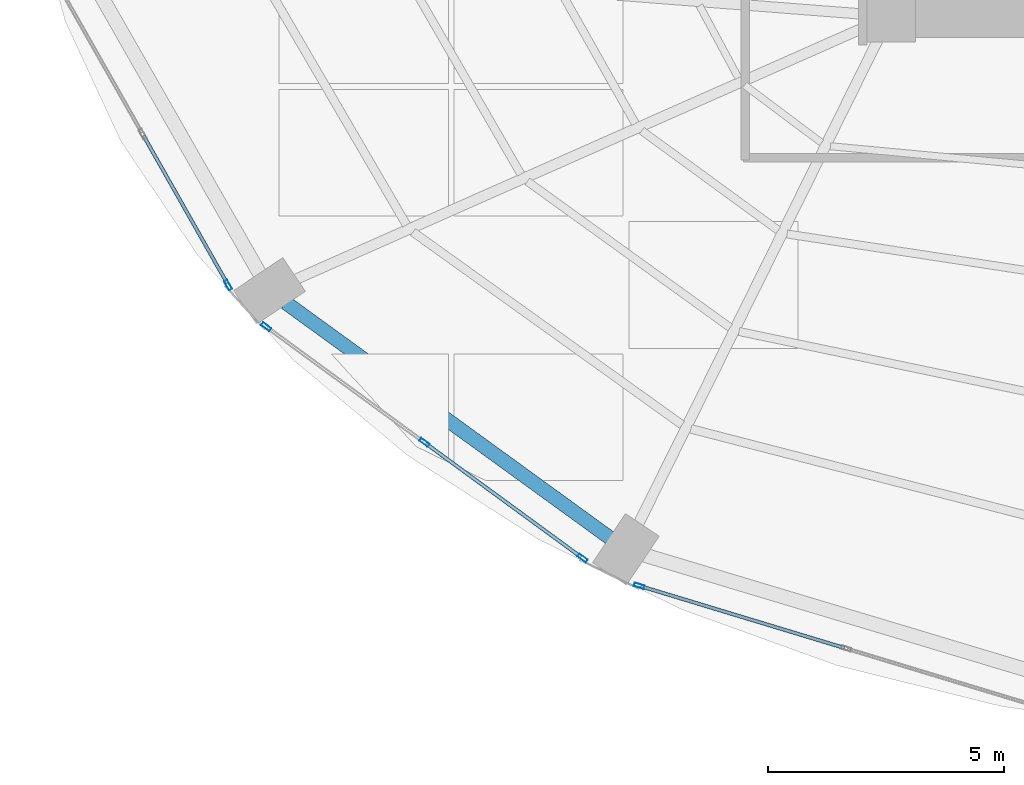
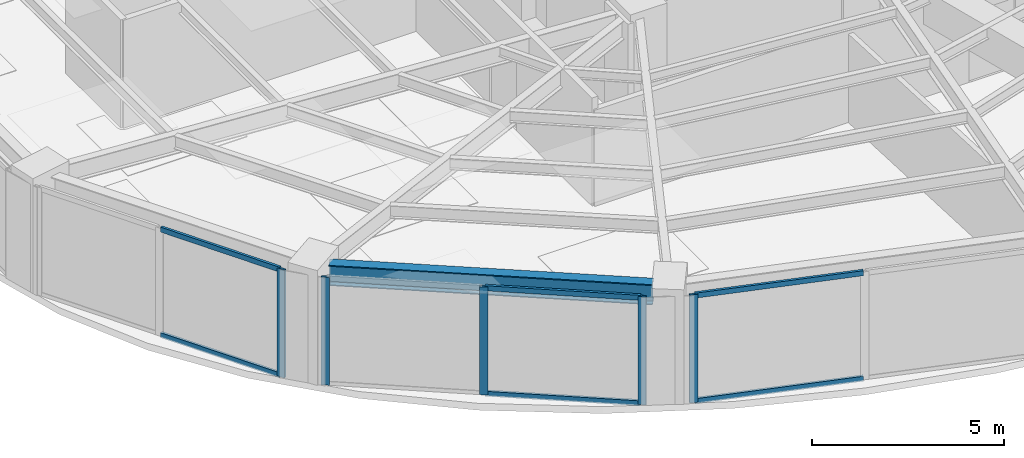
# One storey, part 2 of 24: 11 members, 1 beam, 3 elements without a shape of their own.
"""IFC4 building model written with IfcOpenShell, lengths in metres."""

from ifc_helpers import new_model, si_unit, direction, frame, origin, origin_2d, place, context, subcontext, project, spatial, hollow_rectangle, i_section, extrude, material, layer, layer_set, material_profile, profile_set, type_object, element, aggregate, save


model = new_model("IFC4")

# Units and contexts
model_context = context("Model", 3, precision=1e-05, world=origin(), true_north=direction((0.0, 1.0)))
body_context = subcontext(model_context, "Body", "Model", "MODEL_VIEW")
ifc_project = project(units=[si_unit("LENGTHUNIT", "METRE"), si_unit("AREAUNIT", "SQUARE_METRE"), si_unit("VOLUMEUNIT", "CUBIC_METRE"), si_unit("PLANEANGLEUNIT", "RADIAN"), si_unit("MASSUNIT", "GRAM", prefix="KILO")], contexts=[model_context])

# Site, building, storey
site_placement = place(None, origin())
site = spatial("IfcSite", under=ifc_project, at=site_placement, CompositionType="ELEMENT")
building_placement = place(site_placement, origin())
building = spatial("IfcBuilding", under=site, at=building_placement, Name="Lazwardi Medical Tower", CompositionType="ELEMENT")
storey_placement = place(building_placement, frame((0.0, 0.0, 54.384033203125)))
storey = spatial("IfcBuildingStorey", under=building, at=storey_placement, Name="L13", CompositionType="ELEMENT", Elevation=54.384033203125)

# Beam
ifc_material_1 = material(Name="Steel S355", Category="steel")
ifc_material_profile_1 = material_profile(ifc_material_1, i_section(OverallWidth=0.300048828125, OverallDepth=0.64990234375, WebThickness=0.01611328125, FlangeThickness=0.031005859375, at=origin_2d()), Name="HEB 650")
ifc_profile_set_1 = profile_set([ifc_material_profile_1], Name="Steel S355")
beam_type = type_object("IfcBeamType", Name="BM-RB-Z1", PredefinedType="BEAM", material=ifc_profile_set_1)
beam_placement = place(storey_placement, frame((13.6201171875, 14.339111328125, 3.10302734375), z_axis=(0.809407079515, -0.587247971159, 0.0), x_axis=(0.587247971159, 0.809407079515, 0.0)))
element("IfcBeam", 1, at=beam_placement, inside=storey, type_object=beam_type, Name="Ring beam RB-02 B14 L13", PredefinedType="BEAM", context=body_context, shape_type="SweptSolid", body=[
    extrude(i_section(OverallWidth=0.300048828125, OverallDepth=0.64990234375, WebThickness=0.01611328125, FlangeThickness=0.031005859375, at=origin_2d()), origin(), (0.0, 0.0, 1.0), 8.473876953125),
])

# Curtain wall, member
ifc_material_2 = material(Name="Anodised bronze aluminium and solar control glazing", Category="aluminium")
ifc_layer = layer(ifc_material_2, 0.199951171875)
ifc_layer_set = layer_set([ifc_layer], Name="Anodised bronze aluminium and solar control glazing")
curtain_wall_type = type_object("IfcCurtainWallType", Name="CW-SYS-02", PredefinedType="NOTDEFINED", material=ifc_layer_set)
curtain_wall_1_placement = place(storey_placement, origin())
curtain_wall_1 = element("IfcCurtainWall", 2, at=curtain_wall_1_placement, inside=storey, type_object=curtain_wall_type, Name="L13 Unitised bronze curtain wall CW-02", PredefinedType="NOTDEFINED")
ifc_material_3 = material(Name="Anodised bronze aluminium", Category="aluminium")
ifc_material_profile_2 = material_profile(ifc_material_3, hollow_rectangle(XDim=0.074951171875, YDim=0.219970703125, WallThickness=0.00390625, at=origin_2d()), Name="ALU-MULLION 220x75x4")
ifc_profile_set_2 = profile_set([ifc_material_profile_2], Name="Anodised bronze aluminium")
member_type_1 = type_object("IfcMemberType", Name="CW-MUL-01", PredefinedType="MULLION", material=ifc_profile_set_2)
member_1_placement = place(storey_placement, frame((12.4033203125, 14.71142578125, 0.0), z_axis=(0.0, 0.0, 1.0), x_axis=(0.870111838823, 0.492854327303, 0.0)))
member_1 = element("IfcMember", 3, at=member_1_placement, type_object=member_type_1, Name="CW-02 mullion 3", PredefinedType="MULLION", context=body_context, shape_type="SweptSolid", body=[
    extrude(hollow_rectangle(XDim=0.074951171875, YDim=0.219970703125, WallThickness=0.00390625, at=origin_2d()), origin(), (0.0, 0.0, 1.0), 3.427978515625),
])

# Curtain wall, members
curtain_wall_2_placement = place(storey_placement, origin())
curtain_wall_2 = element("IfcCurtainWall", 4, at=curtain_wall_2_placement, inside=storey, type_object=curtain_wall_type, Name="L13 Unitised bronze curtain wall CW-02", PredefinedType="NOTDEFINED")
member_2_placement = place(storey_placement, frame((13.209716796875, 13.827392578125, 0.0), z_axis=(0.0, 0.0, 1.0), x_axis=(0.590289307341, 0.807191757663, 0.0)))
member_2 = element("IfcMember", 5, at=member_2_placement, type_object=member_type_1, Name="CW-02 mullion 1", PredefinedType="MULLION", context=body_context, shape_type="SweptSolid", body=[
    extrude(hollow_rectangle(XDim=0.074951171875, YDim=0.219970703125, WallThickness=0.00390625, at=origin_2d()), origin(), (0.0, 0.0, 1.0), 3.427978515625),
])
member_3_placement = place(storey_placement, frame((16.5556640625, 11.380615234375, 0.0), z_axis=(0.0, 0.0, 1.0), x_axis=(0.590289307341, 0.807191757663, 0.0)))
member_3 = element("IfcMember", 6, at=member_3_placement, type_object=member_type_1, Name="CW-02 mullion 2", PredefinedType="MULLION", context=body_context, shape_type="SweptSolid", body=[
    extrude(hollow_rectangle(XDim=0.074951171875, YDim=0.219970703125, WallThickness=0.00390625, at=origin_2d()), origin(), (0.0, 0.0, 1.0), 3.427978515625),
])
member_4_placement = place(storey_placement, frame((19.9013671875, 8.933837890625, 0.0), z_axis=(0.0, 0.0, 1.0), x_axis=(0.590289307341, 0.807191757663, 0.0)))
member_4 = element("IfcMember", 7, at=member_4_placement, type_object=member_type_1, Name="CW-02 mullion 3", PredefinedType="MULLION", context=body_context, shape_type="SweptSolid", body=[
    extrude(hollow_rectangle(XDim=0.074951171875, YDim=0.219970703125, WallThickness=0.00390625, at=origin_2d()), origin(), (0.0, 0.0, 1.0), 3.427978515625),
])

# Curtain wall, member
curtain_wall_3_placement = place(storey_placement, origin())
curtain_wall_3 = element("IfcCurtainWall", 8, at=curtain_wall_3_placement, inside=storey, type_object=curtain_wall_type, Name="L13 Unitised bronze curtain wall CW-02", PredefinedType="NOTDEFINED")
member_5_placement = place(storey_placement, frame((21.1015625, 8.346923828125, 0.0), z_axis=(0.0, 0.0, 1.0), x_axis=(0.2898956909, 0.957058247129, 0.0)))
member_5 = element("IfcMember", 9, at=member_5_placement, type_object=member_type_1, Name="CW-02 mullion 1", PredefinedType="MULLION", context=body_context, shape_type="SweptSolid", body=[
    extrude(hollow_rectangle(XDim=0.074951171875, YDim=0.219970703125, WallThickness=0.00390625, at=origin_2d()), origin(), (0.0, 0.0, 1.0), 3.427978515625),
])

# Member
ifc_material_profile_3 = material_profile(ifc_material_3, hollow_rectangle(XDim=0.074951171875, YDim=0.159912109375, WallThickness=0.00390625, at=origin_2d()), Name="ALU-TRANSOM 160x75x4")
ifc_profile_set_3 = profile_set([ifc_material_profile_3], Name="Anodised bronze aluminium")
member_type_2 = type_object("IfcMemberType", Name="CW-TRN-01", PredefinedType="USERDEFINED", material=ifc_profile_set_3)
member_6_placement = place(storey_placement, frame((10.613037109375, 17.871826171875, 0.037353515625), z_axis=(0.492880614687, -0.870096948429, 0.0), x_axis=(0.870096948429, 0.492880614687, 0.0)))
member_6 = element("IfcMember", 10, at=member_6_placement, type_object=member_type_2, Name="CW-02 transom 2.1", ObjectType="TRANSOM", PredefinedType="USERDEFINED", context=body_context, shape_type="SweptSolid", body=[
    extrude(hollow_rectangle(XDim=0.074951171875, YDim=0.159912109375, WallThickness=0.00390625, at=origin_2d()), origin(), (0.0, 0.0, 1.0), 3.5947265625),
])

member_7_placement = place(storey_placement, frame((10.613037109375, 17.871826171875, 3.390380859375), z_axis=(0.492880614687, -0.870096948429, 0.0), x_axis=(0.870096948429, 0.492880614687, 0.0)))
member_7 = element("IfcMember", 11, at=member_7_placement, type_object=member_type_2, Name="CW-02 transom 2.2", ObjectType="TRANSOM", PredefinedType="USERDEFINED", context=body_context, shape_type="SweptSolid", body=[
    extrude(hollow_rectangle(XDim=0.074951171875, YDim=0.159912109375, WallThickness=0.00390625, at=origin_2d()), origin(), (0.0, 0.0, 1.0), 3.5947265625),
])

aggregate(curtain_wall_1, [member_1, member_6, member_7])

member_8_placement = place(storey_placement, frame((16.5859375, 11.358642578125, 0.037353515625), z_axis=(0.807169053975, -0.590320352271, 0.0), x_axis=(0.590320352271, 0.807169053975, 0.0)))
member_8 = element("IfcMember", 12, at=member_8_placement, type_object=member_type_2, Name="CW-02 transom 2.1", ObjectType="TRANSOM", PredefinedType="USERDEFINED", context=body_context, shape_type="SweptSolid", body=[
    extrude(hollow_rectangle(XDim=0.074951171875, YDim=0.159912109375, WallThickness=0.00390625, at=origin_2d()), origin(), (0.0, 0.0, 1.0), 4.070068359375),
])

member_9_placement = place(storey_placement, frame((16.5859375, 11.358642578125, 3.390380859375), z_axis=(0.807169053975, -0.590320352271, 0.0), x_axis=(0.590320352271, 0.807169053975, 0.0)))
member_9 = element("IfcMember", 13, at=member_9_placement, type_object=member_type_2, Name="CW-02 transom 2.2", ObjectType="TRANSOM", PredefinedType="USERDEFINED", context=body_context, shape_type="SweptSolid", body=[
    extrude(hollow_rectangle(XDim=0.074951171875, YDim=0.159912109375, WallThickness=0.00390625, at=origin_2d()), origin(), (0.0, 0.0, 1.0), 4.070068359375),
])

aggregate(curtain_wall_2, [member_2, member_3, member_4, member_8, member_9])

member_10_placement = place(storey_placement, frame((21.137451171875, 8.3359375, 0.037353515625), z_axis=(0.957062297904, -0.289882317383, 0.0), x_axis=(0.289882317383, 0.957062297904, 0.0)))
member_10 = element("IfcMember", 14, at=member_10_placement, type_object=member_type_2, Name="CW-02 transom 1.1", ObjectType="TRANSOM", PredefinedType="USERDEFINED", context=body_context, shape_type="SweptSolid", body=[
    extrude(hollow_rectangle(XDim=0.074951171875, YDim=0.159912109375, WallThickness=0.00390625, at=origin_2d()), origin(), (0.0, 0.0, 1.0), 4.49658203125),
])

member_11_placement = place(storey_placement, frame((21.137451171875, 8.3359375, 3.390380859375), z_axis=(0.957062297904, -0.289882317383, 0.0), x_axis=(0.289882317383, 0.957062297904, 0.0)))
member_11 = element("IfcMember", 15, at=member_11_placement, type_object=member_type_2, Name="CW-02 transom 1.2", ObjectType="TRANSOM", PredefinedType="USERDEFINED", context=body_context, shape_type="SweptSolid", body=[
    extrude(hollow_rectangle(XDim=0.074951171875, YDim=0.159912109375, WallThickness=0.00390625, at=origin_2d()), origin(), (0.0, 0.0, 1.0), 4.49658203125),
])

aggregate(curtain_wall_3, [member_5, member_10, member_11])

save(model, "model.ifc")
